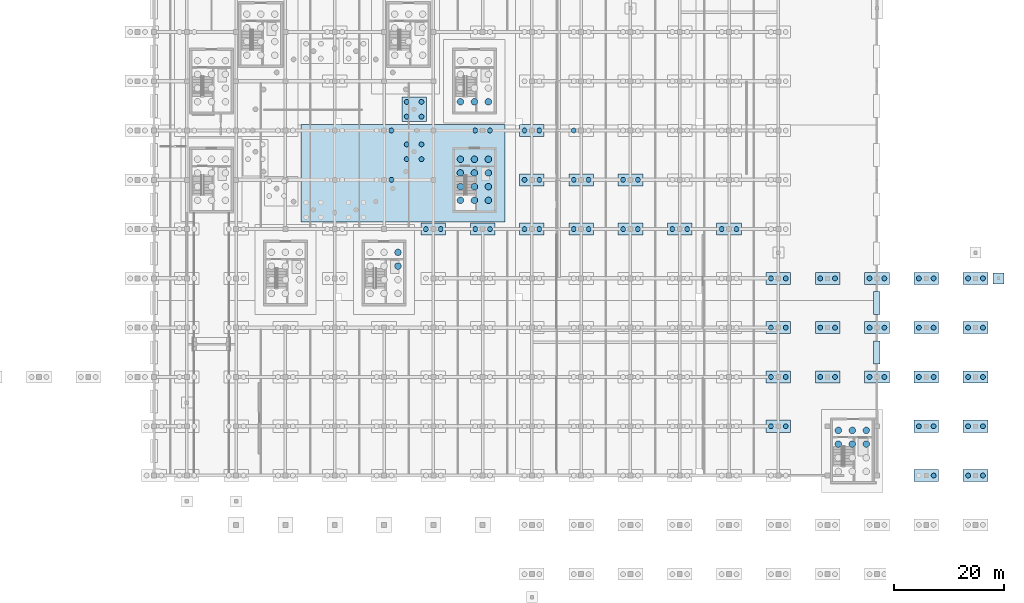
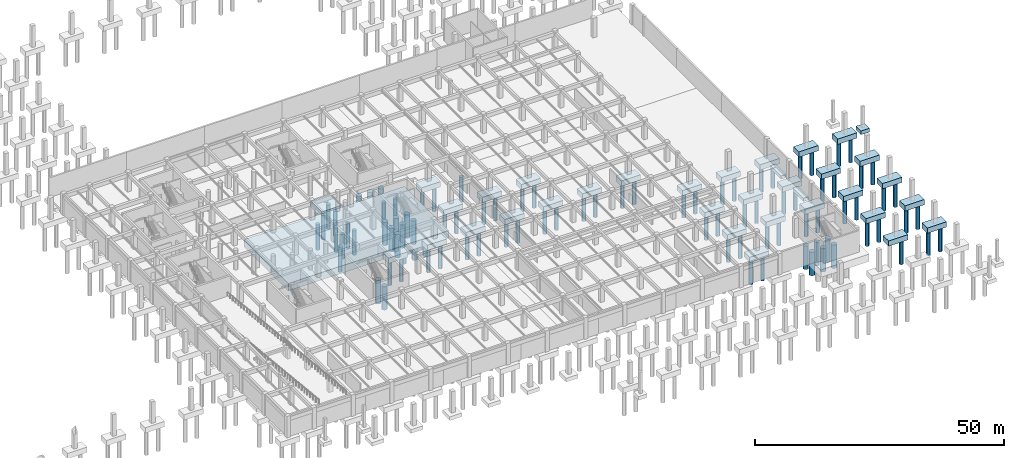
# One storey, part 6 of 27: 97 piles, 36 footings.
"""IFC4 building model written with IfcOpenShell, lengths in metres."""

from ifc_helpers import new_model, si_unit, direction, frame, origin, origin_2d, place, context, subcontext, project, spatial, polyline, circle, outline, extrude, material, layer, layer_set, material_profile, profile_set, type_object, element, save


model = new_model("IFC4")

# Units and contexts
model_context = context("Model", 3, precision=1e-05, world=origin(), true_north=direction((0.0, 1.0)))
body_context = subcontext(model_context, "Body", "Model", "MODEL_VIEW")
ifc_project = project(units=[si_unit("LENGTHUNIT", "METRE"), si_unit("AREAUNIT", "SQUARE_METRE"), si_unit("VOLUMEUNIT", "CUBIC_METRE"), si_unit("PLANEANGLEUNIT", "RADIAN"), si_unit("MASSUNIT", "GRAM", prefix="KILO")], contexts=[model_context])

# Site, building, storey
site_placement = place(None, origin())
site = spatial("IfcSite", under=ifc_project, at=site_placement, CompositionType="ELEMENT")
building_placement = place(site_placement, origin())
building = spatial("IfcBuilding", under=site, at=building_placement, Name="Dornveld Trade and Exhibition Forum", CompositionType="ELEMENT")
storey_placement = place(building_placement, frame((0.0, 0.0, -4.800048828125)))
storey = spatial("IfcBuildingStorey", under=building, at=storey_placement, Name="B1", CompositionType="ELEMENT", Elevation=-4.800048828125)

# Footings
ifc_material_1 = material(Name="Concrete C40/50", Category="concrete")
ifc_layer_1 = layer(ifc_material_1, 1.300048828125)
ifc_layer_set_1 = layer_set([ifc_layer_1], Name="Concrete C40/50")
footing_type_1 = type_object("IfcFootingType", Name="FT-CAP-2P", PredefinedType="PILE_CAP", material=ifc_layer_set_1)
footing_1_placement = place(storey_placement, frame((0.0, 0.0, -1.75)))
element("IfcFooting", 1, at=footing_1_placement, inside=storey, type_object=footing_type_1, Name="Multi-pile cap 164", PredefinedType="PILE_CAP", context=body_context, shape_type="SweptSolid", body=[
    extrude(outline(polyline([(132.75, 61.89990234375), (137.25, 61.89990234375), (137.25, 64.10009765625), (132.75, 64.10009765625), (132.75, 61.89990234375)])), origin(), (0.0, 0.0, 1.0), 1.300048828125),
])
footing_2_placement = place(storey_placement, frame((0.0, 0.0, -1.75)))
element("IfcFooting", 2, at=footing_2_placement, inside=storey, type_object=footing_type_1, Name="Multi-pile cap 172", PredefinedType="PILE_CAP", context=body_context, shape_type="SweptSolid", body=[
    extrude(outline(polyline([(141.75, 61.89990234375), (146.25, 61.89990234375), (146.25, 64.10009765625), (141.75, 64.10009765625), (141.75, 61.89990234375)])), origin(), (0.0, 0.0, 1.0), 1.300048828125),
])
footing_3_placement = place(storey_placement, frame((0.0, 0.0, -1.75)))
element("IfcFooting", 3, at=footing_3_placement, inside=storey, type_object=footing_type_1, Name="Multi-pile cap 184", PredefinedType="PILE_CAP", context=body_context, shape_type="SweptSolid", body=[
    extrude(outline(polyline([(150.75, 61.89990234375), (155.25, 61.89990234375), (155.25, 64.10009765625), (150.75, 64.10009765625), (150.75, 61.89990234375)])), origin(), (0.0, 0.0, 1.0), 1.300048828125),
])
footing_4_placement = place(storey_placement, frame((0.0, 0.0, -1.75)))
element("IfcFooting", 4, at=footing_4_placement, inside=storey, type_object=footing_type_1, Name="Multi-pile cap 185", PredefinedType="PILE_CAP", context=body_context, shape_type="SweptSolid", body=[
    extrude(outline(polyline([(150.75, 70.89990234375), (155.25, 70.89990234375), (155.25, 73.10009765625), (150.75, 73.10009765625), (150.75, 70.89990234375)])), origin(), (0.0, 0.0, 1.0), 1.300048828125),
])
footing_5_placement = place(storey_placement, frame((0.0, 0.0, -1.75)))
element("IfcFooting", 5, at=footing_5_placement, inside=storey, type_object=footing_type_1, Name="Multi-pile cap 186", PredefinedType="PILE_CAP", context=body_context, shape_type="SweptSolid", body=[
    extrude(outline(polyline([(150.75, 79.89990234375), (155.25, 79.89990234375), (155.25, 82.10009765625), (150.75, 82.10009765625), (150.75, 79.89990234375)])), origin(), (0.0, 0.0, 1.0), 1.300048828125),
])
footing_6_placement = place(storey_placement, frame((0.0, 0.0, -1.75)))
element("IfcFooting", 6, at=footing_6_placement, inside=storey, type_object=footing_type_1, Name="Multi-pile cap 198", PredefinedType="PILE_CAP", context=body_context, shape_type="SweptSolid", body=[
    extrude(outline(polyline([(159.75, 61.89990234375), (164.25, 61.89990234375), (164.25, 64.10009765625), (159.75, 64.10009765625), (159.75, 61.89990234375)])), origin(), (0.0, 0.0, 1.0), 1.300048828125),
])
footing_7_placement = place(storey_placement, frame((0.0, 0.0, -1.75)))
element("IfcFooting", 7, at=footing_7_placement, inside=storey, type_object=footing_type_1, Name="Multi-pile cap 199", PredefinedType="PILE_CAP", context=body_context, shape_type="SweptSolid", body=[
    extrude(outline(polyline([(159.75, 70.89990234375), (164.25, 70.89990234375), (164.25, 73.10009765625), (159.75, 73.10009765625), (159.75, 70.89990234375)])), origin(), (0.0, 0.0, 1.0), 1.300048828125),
])
footing_8_placement = place(storey_placement, frame((0.0, 0.0, -1.75)))
element("IfcFooting", 8, at=footing_8_placement, inside=storey, type_object=footing_type_1, Name="Multi-pile cap 212", PredefinedType="PILE_CAP", context=body_context, shape_type="SweptSolid", body=[
    extrude(outline(polyline([(168.75, 61.89990234375), (173.25, 61.89990234375), (173.25, 64.10009765625), (168.75, 64.10009765625), (168.75, 61.89990234375)])), origin(), (0.0, 0.0, 1.0), 1.300048828125),
])
footing_9_placement = place(storey_placement, frame((0.0, 0.0, -1.75)))
element("IfcFooting", 9, at=footing_9_placement, inside=storey, type_object=footing_type_1, Name="Multi-pile cap 213", PredefinedType="PILE_CAP", context=body_context, shape_type="SweptSolid", body=[
    extrude(outline(polyline([(168.75, 70.89990234375), (173.25, 70.89990234375), (173.25, 73.10009765625), (168.75, 73.10009765625), (168.75, 70.89990234375)])), origin(), (0.0, 0.0, 1.0), 1.300048828125),
])
footing_10_placement = place(storey_placement, frame((0.0, 0.0, -1.75)))
element("IfcFooting", 10, at=footing_10_placement, inside=storey, type_object=footing_type_1, Name="Multi-pile cap 231", PredefinedType="PILE_CAP", context=body_context, shape_type="SweptSolid", body=[
    extrude(outline(polyline([(177.75, 61.89990234375), (182.25, 61.89990234375), (182.25, 64.10009765625), (177.75, 64.10009765625), (177.75, 61.89990234375)])), origin(), (0.0, 0.0, 1.0), 1.300048828125),
])
footing_11_placement = place(storey_placement, frame((0.0, 0.0, -1.75)))
element("IfcFooting", 11, at=footing_11_placement, inside=storey, type_object=footing_type_1, Name="Multi-pile cap 246", PredefinedType="PILE_CAP", context=body_context, shape_type="SweptSolid", body=[
    extrude(outline(polyline([(186.75, 61.89990234375), (191.25, 61.89990234375), (191.25, 64.10009765625), (186.75, 64.10009765625), (186.75, 61.89990234375)])), origin(), (0.0, 0.0, 1.0), 1.300048828125),
])
footing_12_placement = place(storey_placement, frame((0.0, 0.0, -1.75)))
element("IfcFooting", 12, at=footing_12_placement, inside=storey, type_object=footing_type_1, Name="Multi-pile cap 257", PredefinedType="PILE_CAP", context=body_context, shape_type="SweptSolid", body=[
    extrude(outline(polyline([(195.75, 25.89990234375), (200.25, 25.89990234375), (200.25, 28.10009765625), (195.75, 28.10009765625), (195.75, 25.89990234375)])), origin(), (0.0, 0.0, 1.0), 1.300048828125),
])
footing_13_placement = place(storey_placement, frame((0.0, 0.0, -1.75)))
element("IfcFooting", 13, at=footing_13_placement, inside=storey, type_object=footing_type_1, Name="Multi-pile cap 258", PredefinedType="PILE_CAP", context=body_context, shape_type="SweptSolid", body=[
    extrude(outline(polyline([(195.75, 34.89990234375), (200.25, 34.89990234375), (200.25, 37.10009765625), (195.75, 37.10009765625), (195.75, 34.89990234375)])), origin(), (0.0, 0.0, 1.0), 1.300048828125),
])
footing_14_placement = place(storey_placement, frame((0.0, 0.0, -1.75)))
element("IfcFooting", 14, at=footing_14_placement, inside=storey, type_object=footing_type_1, Name="Multi-pile cap 259", PredefinedType="PILE_CAP", context=body_context, shape_type="SweptSolid", body=[
    extrude(outline(polyline([(195.75, 43.89990234375), (200.25, 43.89990234375), (200.25, 46.10009765625), (195.75, 46.10009765625), (195.75, 43.89990234375)])), origin(), (0.0, 0.0, 1.0), 1.300048828125),
])
footing_15_placement = place(storey_placement, frame((0.0, 0.0, -1.75)))
element("IfcFooting", 15, at=footing_15_placement, inside=storey, type_object=footing_type_1, Name="Multi-pile cap 260", PredefinedType="PILE_CAP", context=body_context, shape_type="SweptSolid", body=[
    extrude(outline(polyline([(195.75, 52.89990234375), (200.25, 52.89990234375), (200.25, 55.10009765625), (195.75, 55.10009765625), (195.75, 52.89990234375)])), origin(), (0.0, 0.0, 1.0), 1.300048828125),
])
footing_16_placement = place(storey_placement, frame((0.0, 0.0, -1.75)))
element("IfcFooting", 16, at=footing_16_placement, inside=storey, type_object=footing_type_1, Name="Multi-pile cap 273", PredefinedType="PILE_CAP", context=body_context, shape_type="SweptSolid", body=[
    extrude(outline(polyline([(204.75, 34.89990234375), (209.25, 34.89990234375), (209.25, 37.10009765625), (204.75, 37.10009765625), (204.75, 34.89990234375)])), origin(), (0.0, 0.0, 1.0), 1.300048828125),
])
footing_17_placement = place(storey_placement, frame((0.0, 0.0, -1.75)))
element("IfcFooting", 17, at=footing_17_placement, inside=storey, type_object=footing_type_1, Name="Multi-pile cap 274", PredefinedType="PILE_CAP", context=body_context, shape_type="SweptSolid", body=[
    extrude(outline(polyline([(204.75, 43.89990234375), (209.25, 43.89990234375), (209.25, 46.10009765625), (204.75, 46.10009765625), (204.75, 43.89990234375)])), origin(), (0.0, 0.0, 1.0), 1.300048828125),
])
footing_18_placement = place(storey_placement, frame((0.0, 0.0, -1.75)))
element("IfcFooting", 18, at=footing_18_placement, inside=storey, type_object=footing_type_1, Name="Multi-pile cap 275", PredefinedType="PILE_CAP", context=body_context, shape_type="SweptSolid", body=[
    extrude(outline(polyline([(204.75, 52.89990234375), (209.25, 52.89990234375), (209.25, 55.10009765625), (204.75, 55.10009765625), (204.75, 52.89990234375)])), origin(), (0.0, 0.0, 1.0), 1.300048828125),
])
footing_19_placement = place(storey_placement, frame((0.0, 0.0, -1.75)))
element("IfcFooting", 19, at=footing_19_placement, inside=storey, type_object=footing_type_1, Name="Multi-pile cap 283", PredefinedType="PILE_CAP", context=body_context, shape_type="SweptSolid", body=[
    extrude(outline(polyline([(213.75, 34.89990234375), (218.25, 34.89990234375), (218.25, 37.10009765625), (213.75, 37.10009765625), (213.75, 34.89990234375)])), origin(), (0.0, 0.0, 1.0), 1.300048828125),
])
footing_20_placement = place(storey_placement, frame((0.0, 0.0, -1.75)))
element("IfcFooting", 20, at=footing_20_placement, inside=storey, type_object=footing_type_1, Name="Multi-pile cap 284", PredefinedType="PILE_CAP", context=body_context, shape_type="SweptSolid", body=[
    extrude(outline(polyline([(213.75, 43.89990234375), (218.25, 43.89990234375), (218.25, 46.10009765625), (213.75, 46.10009765625), (213.75, 43.89990234375)])), origin(), (0.0, 0.0, 1.0), 1.300048828125),
])
footing_21_placement = place(storey_placement, frame((0.0, 0.0, -1.75)))
element("IfcFooting", 21, at=footing_21_placement, inside=storey, type_object=footing_type_1, Name="Multi-pile cap 285", PredefinedType="PILE_CAP", context=body_context, shape_type="SweptSolid", body=[
    extrude(outline(polyline([(213.75, 52.89990234375), (218.25, 52.89990234375), (218.25, 55.10009765625), (213.75, 55.10009765625), (213.75, 52.89990234375)])), origin(), (0.0, 0.0, 1.0), 1.300048828125),
])
footing_22_placement = place(storey_placement, frame((0.0, 0.0, -1.75)))
element("IfcFooting", 22, at=footing_22_placement, inside=storey, type_object=footing_type_1, Name="Multi-pile cap 293", PredefinedType="PILE_CAP", context=body_context, shape_type="SweptSolid", body=[
    extrude(outline(polyline([(222.75, 16.89990234375), (227.25, 16.89990234375), (227.25, 19.10009765625), (222.75, 19.10009765625), (222.75, 16.89990234375)])), origin(), (0.0, 0.0, 1.0), 1.300048828125),
])
footing_23_placement = place(storey_placement, frame((0.0, 0.0, -1.75)))
element("IfcFooting", 23, at=footing_23_placement, inside=storey, type_object=footing_type_1, Name="Multi-pile cap 294", PredefinedType="PILE_CAP", context=body_context, shape_type="SweptSolid", body=[
    extrude(outline(polyline([(222.75, 25.89990234375), (227.25, 25.89990234375), (227.25, 28.10009765625), (222.75, 28.10009765625), (222.75, 25.89990234375)])), origin(), (0.0, 0.0, 1.0), 1.300048828125),
])
footing_24_placement = place(storey_placement, frame((0.0, 0.0, -1.75)))
element("IfcFooting", 24, at=footing_24_placement, inside=storey, type_object=footing_type_1, Name="Multi-pile cap 295", PredefinedType="PILE_CAP", context=body_context, shape_type="SweptSolid", body=[
    extrude(outline(polyline([(222.75, 34.89990234375), (227.25, 34.89990234375), (227.25, 37.10009765625), (222.75, 37.10009765625), (222.75, 34.89990234375)])), origin(), (0.0, 0.0, 1.0), 1.300048828125),
])
footing_25_placement = place(storey_placement, frame((0.0, 0.0, -1.75)))
element("IfcFooting", 25, at=footing_25_placement, inside=storey, type_object=footing_type_1, Name="Multi-pile cap 296", PredefinedType="PILE_CAP", context=body_context, shape_type="SweptSolid", body=[
    extrude(outline(polyline([(222.75, 43.89990234375), (227.25, 43.89990234375), (227.25, 46.10009765625), (222.75, 46.10009765625), (222.75, 43.89990234375)])), origin(), (0.0, 0.0, 1.0), 1.300048828125),
])
footing_26_placement = place(storey_placement, frame((0.0, 0.0, -1.75)))
element("IfcFooting", 26, at=footing_26_placement, inside=storey, type_object=footing_type_1, Name="Multi-pile cap 297", PredefinedType="PILE_CAP", context=body_context, shape_type="SweptSolid", body=[
    extrude(outline(polyline([(222.75, 52.89990234375), (227.25, 52.89990234375), (227.25, 55.10009765625), (222.75, 55.10009765625), (222.75, 52.89990234375)])), origin(), (0.0, 0.0, 1.0), 1.300048828125),
])
footing_27_placement = place(storey_placement, frame((0.0, 0.0, -1.75)))
element("IfcFooting", 27, at=footing_27_placement, inside=storey, type_object=footing_type_1, Name="Multi-pile cap 300", PredefinedType="PILE_CAP", context=body_context, shape_type="SweptSolid", body=[
    extrude(outline(polyline([(231.75, 16.89990234375), (236.25, 16.89990234375), (236.25, 19.10009765625), (231.75, 19.10009765625), (231.75, 16.89990234375)])), origin(), (0.0, 0.0, 1.0), 1.300048828125),
])
footing_28_placement = place(storey_placement, frame((0.0, 0.0, -1.75)))
element("IfcFooting", 28, at=footing_28_placement, inside=storey, type_object=footing_type_1, Name="Multi-pile cap 301", PredefinedType="PILE_CAP", context=body_context, shape_type="SweptSolid", body=[
    extrude(outline(polyline([(231.75, 25.89990234375), (236.25, 25.89990234375), (236.25, 28.10009765625), (231.75, 28.10009765625), (231.75, 25.89990234375)])), origin(), (0.0, 0.0, 1.0), 1.300048828125),
])
footing_29_placement = place(storey_placement, frame((0.0, 0.0, -1.75)))
element("IfcFooting", 29, at=footing_29_placement, inside=storey, type_object=footing_type_1, Name="Multi-pile cap 302", PredefinedType="PILE_CAP", context=body_context, shape_type="SweptSolid", body=[
    extrude(outline(polyline([(231.75, 34.89990234375), (236.25, 34.89990234375), (236.25, 37.10009765625), (231.75, 37.10009765625), (231.75, 34.89990234375)])), origin(), (0.0, 0.0, 1.0), 1.300048828125),
])
footing_30_placement = place(storey_placement, frame((0.0, 0.0, -1.75)))
element("IfcFooting", 30, at=footing_30_placement, inside=storey, type_object=footing_type_1, Name="Multi-pile cap 303", PredefinedType="PILE_CAP", context=body_context, shape_type="SweptSolid", body=[
    extrude(outline(polyline([(231.75, 43.89990234375), (236.25, 43.89990234375), (236.25, 46.10009765625), (231.75, 46.10009765625), (231.75, 43.89990234375)])), origin(), (0.0, 0.0, 1.0), 1.300048828125),
])
footing_31_placement = place(storey_placement, frame((0.0, 0.0, -1.75)))
element("IfcFooting", 31, at=footing_31_placement, inside=storey, type_object=footing_type_1, Name="Multi-pile cap 304", PredefinedType="PILE_CAP", context=body_context, shape_type="SweptSolid", body=[
    extrude(outline(polyline([(231.75, 52.89990234375), (236.25, 52.89990234375), (236.25, 55.10009765625), (231.75, 55.10009765625), (231.75, 52.89990234375)])), origin(), (0.0, 0.0, 1.0), 1.300048828125),
])
ifc_material_2 = material(Name="Concrete C40/50", Category="concrete")
ifc_layer_2 = layer(ifc_material_2, 1.5)
ifc_layer_set_2 = layer_set([ifc_layer_2], Name="Concrete C40/50")
footing_type_2 = type_object("IfcFootingType", Name="FT-CAP-4P", PredefinedType="PILE_CAP", material=ifc_layer_set_2)
footing_32_placement = place(storey_placement, frame((0.0, 0.0, -1.949951171875)))
element("IfcFooting", 32, at=footing_32_placement, inside=storey, type_object=footing_type_2, Name="Multi-pile cap 158", PredefinedType="PILE_CAP", context=body_context, shape_type="SweptSolid", body=[
    extrude(outline(polyline([(129.239013671875, 82.632080078125), (133.739013671875, 82.632080078125), (133.739013671875, 87.132080078125), (129.239013671875, 87.132080078125), (129.239013671875, 82.632080078125)])), origin(), (0.0, 0.0, 1.0), 1.5),
])
ifc_material_3 = material(Name="Concrete C40/50", Category="concrete")
ifc_layer_3 = layer(ifc_material_3, 0.89990234375)
ifc_layer_set_3 = layer_set([ifc_layer_3], Name="Concrete C40/50")
footing_type_3 = type_object("IfcFootingType", Name="FT-PAD-CAN", PredefinedType="PAD_FOOTING", material=ifc_layer_set_3)
footing_33_placement = place(storey_placement, frame((0.0, 0.0, -1.349853515625)))
element("IfcFooting", 33, at=footing_33_placement, inside=storey, type_object=footing_type_3, Name="Paving edge pad footing 10", PredefinedType="PAD_FOOTING", context=body_context, shape_type="SweptSolid", body=[
    extrude(outline(polyline([(237.199951171875, 53.0), (239.199951171875, 53.0), (239.199951171875, 55.0), (237.199951171875, 55.0), (237.199951171875, 53.0)])), origin(), (0.0, 0.0, 1.0), 0.89990234375),
])
ifc_material_4 = material(Name="Concrete C40/50", Category="concrete")
ifc_layer_4 = layer(ifc_material_4, 1.800048828125)
ifc_layer_set_4 = layer_set([ifc_layer_4], Name="Concrete C40/50")
footing_type_4 = type_object("IfcFootingType", Name="FT-RAFT-CORE", PredefinedType="PILE_CAP", material=ifc_layer_set_4)
footing_34_placement = place(storey_placement, frame((0.0, 0.0, -2.25)))
element("IfcFooting", 34, at=footing_34_placement, inside=storey, type_object=footing_type_4, Name="CORE-08 piled foundation raft", PredefinedType="PILE_CAP", context=body_context, shape_type="SweptSolid", body=[
    extrude(outline(polyline([(110.867919921875, 64.260986328125), (148.10009765625, 64.260986328125), (148.10009765625, 82.10009765625), (110.867919921875, 82.10009765625), (110.867919921875, 64.260986328125)])), origin(), (0.0, 0.0, 1.0), 1.800048828125),
])
ifc_material_5 = material(Name="Concrete C40/50", Category="concrete")
ifc_layer_5 = layer(ifc_material_5, 0.800048828125)
ifc_layer_set_5 = layer_set([ifc_layer_5], Name="Concrete C40/50")
footing_type_5 = type_object("IfcFootingType", Name="FT-STRIP-900", PredefinedType="STRIP_FOOTING", material=ifc_layer_set_5)
footing_35_placement = place(storey_placement, frame((0.0, 0.0, -1.25)))
element("IfcFooting", 35, at=footing_35_placement, inside=storey, type_object=footing_type_5, Name="Basement perimeter strip footing 25", PredefinedType="STRIP_FOOTING", context=body_context, shape_type="SweptSolid", body=[
    extrude(outline(polyline([(215.39990234375, 38.39990234375), (216.60009765625, 38.39990234375), (216.60009765625, 42.60009765625), (215.39990234375, 42.60009765625), (215.39990234375, 38.39990234375)])), origin(), (0.0, 0.0, 1.0), 0.800048828125),
])
footing_36_placement = place(storey_placement, frame((0.0, 0.0, -1.25)))
element("IfcFooting", 36, at=footing_36_placement, inside=storey, type_object=footing_type_5, Name="Basement perimeter strip footing 26", PredefinedType="STRIP_FOOTING", context=body_context, shape_type="SweptSolid", body=[
    extrude(outline(polyline([(215.39990234375, 47.39990234375), (216.60009765625, 47.39990234375), (216.60009765625, 51.60009765625), (215.39990234375, 51.60009765625), (215.39990234375, 47.39990234375)])), origin(), (0.0, 0.0, 1.0), 0.800048828125),
])

# Piles
ifc_material_6 = material(Name="Concrete C40/50", Category="concrete")
ifc_material_profile_1 = material_profile(ifc_material_6, circle(Radius=0.60009765625, at=origin_2d()), Name="PILE D1200")
ifc_profile_set_1 = profile_set([ifc_material_profile_1], Name="Concrete C40/50")
pile_type_1 = type_object("IfcPileType", Name="PILE-B1200", PredefinedType="BORED", material=ifc_profile_set_1)
for number, where, z_axis, x_axis, name in (
    (37, (139.949951171875, 86.25, -2.14990234375), (0.0, 0.0, -1.0), (1.0, 0.0, 0.0), "CORE-01 rock-socketed bored pile 1"),
    (38, (142.5, 86.25, -2.14990234375), (0.0, 0.0, -1.0), (1.0, 0.0, 0.0), "CORE-01 rock-socketed bored pile 5"),
    (39, (145.050048828125, 86.25, -2.14990234375), (0.0, 0.0, -1.0), (1.0, 0.0, 0.0), "CORE-01 rock-socketed bored pile 9"),
    (40, (128.550048828125, 56.25, -2.14990234375), (0.0, 0.0, -1.0), (1.0, 0.0, 0.0), "CORE-07 rock-socketed bored pile 11"),
    (41, (128.550048828125, 58.75, -2.14990234375), (0.0, 0.0, -1.0), (1.0, 0.0, 0.0), "CORE-07 rock-socketed bored pile 12"),
    (42, (139.949951171875, 68.25, -2.14990234375), (0.0, 0.0, -1.0), (1.0, 0.0, 0.0), "CORE-08 rock-socketed bored pile 1"),
    (43, (139.949951171875, 70.75, -2.14990234375), (0.0, 0.0, -1.0), (1.0, 0.0, 0.0), "CORE-08 rock-socketed bored pile 2"),
    (44, (139.949951171875, 73.25, -2.14990234375), (0.0, 0.0, -1.0), (1.0, 0.0, 0.0), "CORE-08 rock-socketed bored pile 3"),
    (45, (139.949951171875, 75.75, -2.14990234375), (0.0, 0.0, -1.0), (1.0, 0.0, 0.0), "CORE-08 rock-socketed bored pile 4"),
    (46, (142.5, 68.25, -2.14990234375), (0.0, 0.0, -1.0), (1.0, 0.0, 0.0), "CORE-08 rock-socketed bored pile 5"),
    (47, (142.5, 70.75, -2.14990234375), (0.0, 0.0, -1.0), (1.0, 0.0, 0.0), "CORE-08 rock-socketed bored pile 6"),
    (48, (142.5, 73.25, -2.14990234375), (0.0, 0.0, -1.0), (1.0, 0.0, 0.0), "CORE-08 rock-socketed bored pile 7"),
    (49, (142.5, 75.75, -2.14990234375), (0.0, 0.0, -1.0), (1.0, 0.0, 0.0), "CORE-08 rock-socketed bored pile 8"),
    (50, (145.050048828125, 68.25, -2.14990234375), (0.0, 0.0, -1.0), (1.0, 0.0, 0.0), "CORE-08 rock-socketed bored pile 9"),
    (51, (145.050048828125, 70.75, -2.14990234375), (0.0, 0.0, -1.0), (1.0, 0.0, 0.0), "CORE-08 rock-socketed bored pile 10"),
    (52, (145.050048828125, 73.25, -2.14990234375), (0.0, 0.0, -1.0), (1.0, 0.0, 0.0), "CORE-08 rock-socketed bored pile 11"),
    (53, (145.050048828125, 75.75, -2.14990234375), (0.0, 0.0, -1.0), (1.0, 0.0, 0.0), "CORE-08 rock-socketed bored pile 12"),
    (54, (208.949951171875, 23.75, -2.14990234375), (0.0, 0.0, -1.0), (1.0, 0.0, 0.0), "CORE-11 rock-socketed bored pile 3"),
    (55, (208.949951171875, 26.25, -2.14990234375), (0.0, 0.0, -1.0), (1.0, 0.0, 0.0), "CORE-11 rock-socketed bored pile 4"),
    (56, (211.5, 23.75, -2.14990234375), (0.0, 0.0, -1.0), (1.0, 0.0, 0.0), "CORE-11 rock-socketed bored pile 7"),
    (57, (211.5, 26.25, -2.14990234375), (0.0, 0.0, -1.0), (1.0, 0.0, 0.0), "CORE-11 rock-socketed bored pile 8"),
    (58, (214.050048828125, 23.75, -2.14990234375), (0.0, 0.0, -1.0), (1.0, 0.0, 0.0), "CORE-11 rock-socketed bored pile 11"),
    (59, (214.050048828125, 26.25, -2.14990234375), (0.0, 0.0, -1.0), (1.0, 0.0, 0.0), "CORE-11 rock-socketed bored pile 12"),
):
    element("IfcPile", number, at=place(storey_placement, frame(where, z_axis=z_axis, x_axis=x_axis)), inside=storey, type_object=pile_type_1, Name=name, PredefinedType="BORED", context=body_context, shape_type="SweptSolid", body=[
        extrude(circle(Radius=0.60009765625, at=origin_2d()), origin(), (0.0, 0.0, 1.0), 5.75),
    ])
ifc_material_7 = material(Name="Concrete C40/50", Category="concrete")
ifc_material_profile_2 = material_profile(ifc_material_7, circle(Radius=0.449951171875, at=origin_2d()), Name="PILE D900")
ifc_profile_set_2 = profile_set([ifc_material_profile_2], Name="Concrete C40/50")
pile_type_2 = type_object("IfcPileType", Name="PILE-B900", PredefinedType="BORED", material=ifc_profile_set_2)
for number, where, z_axis, x_axis, name in (
    (60, (127.35009765625, 72.0, -1.64990234375), (0.0, 0.0, -1.0), (1.0, 0.0, 0.0), "Cap 153 rock-socketed pile 2"),
    (61, (127.35009765625, 81.0, -1.64990234375), (0.0, 0.0, -1.0), (1.0, 0.0, 0.0), "Cap 154 rock-socketed pile 2"),
):
    element("IfcPile", number, at=place(storey_placement, frame(where, z_axis=z_axis, x_axis=x_axis)), inside=storey, type_object=pile_type_2, Name=name, PredefinedType="BORED", context=body_context, shape_type="SweptSolid", body=[
        extrude(circle(Radius=0.449951171875, at=origin_2d()), origin(), (0.0, 0.0, 1.0), 6.25),
    ])
for number, where, z_axis, x_axis, name in (
    (62, (130.138916015625, 75.76806640625, -1.849853515625), (0.0, 0.0, -1.0), (1.0, 0.0, 0.0), "Cap 157 rock-socketed pile 1"),
    (63, (130.138916015625, 78.468017578125, -1.849853515625), (0.0, 0.0, -1.0), (1.0, 0.0, 0.0), "Cap 157 rock-socketed pile 2"),
    (64, (132.839111328125, 75.76806640625, -1.849853515625), (0.0, 0.0, -1.0), (1.0, 0.0, 0.0), "Cap 157 rock-socketed pile 3"),
    (65, (132.839111328125, 78.468017578125, -1.849853515625), (0.0, 0.0, -1.0), (1.0, 0.0, 0.0), "Cap 157 rock-socketed pile 4"),
    (66, (130.138916015625, 83.531982421875, -1.849853515625), (0.0, 0.0, -1.0), (1.0, 0.0, 0.0), "Cap 158 rock-socketed pile 1"),
    (67, (130.138916015625, 86.23193359375, -1.849853515625), (0.0, 0.0, -1.0), (1.0, 0.0, 0.0), "Cap 158 rock-socketed pile 2"),
    (68, (132.839111328125, 83.531982421875, -1.849853515625), (0.0, 0.0, -1.0), (1.0, 0.0, 0.0), "Cap 158 rock-socketed pile 3"),
    (69, (132.839111328125, 86.23193359375, -1.849853515625), (0.0, 0.0, -1.0), (1.0, 0.0, 0.0), "Cap 158 rock-socketed pile 4"),
):
    element("IfcPile", number, at=place(storey_placement, frame(where, z_axis=z_axis, x_axis=x_axis)), inside=storey, type_object=pile_type_2, Name=name, PredefinedType="BORED", context=body_context, shape_type="SweptSolid", body=[
        extrude(circle(Radius=0.449951171875, at=origin_2d()), origin(), (0.0, 0.0, 1.0), 6.050048828125),
    ])
for number, where, z_axis, x_axis, name in (
    (70, (133.64990234375, 63.0, -1.64990234375), (0.0, 0.0, -1.0), (1.0, 0.0, 0.0), "Cap 164 rock-socketed pile 1"),
    (71, (136.35009765625, 63.0, -1.64990234375), (0.0, 0.0, -1.0), (1.0, 0.0, 0.0), "Cap 164 rock-socketed pile 2"),
    (72, (142.64990234375, 63.0, -1.64990234375), (0.0, 0.0, -1.0), (1.0, 0.0, 0.0), "Cap 172 rock-socketed pile 1"),
    (73, (145.35009765625, 63.0, -1.64990234375), (0.0, 0.0, -1.0), (1.0, 0.0, 0.0), "Cap 172 rock-socketed pile 2"),
    (74, (142.64990234375, 81.0, -1.64990234375), (0.0, 0.0, -1.0), (1.0, 0.0, 0.0), "Cap 173 rock-socketed pile 1"),
    (75, (145.35009765625, 81.0, -1.64990234375), (0.0, 0.0, -1.0), (1.0, 0.0, 0.0), "Cap 173 rock-socketed pile 2"),
    (76, (151.64990234375, 63.0, -1.64990234375), (0.0, 0.0, -1.0), (1.0, 0.0, 0.0), "Cap 184 rock-socketed pile 1"),
    (77, (154.35009765625, 63.0, -1.64990234375), (0.0, 0.0, -1.0), (1.0, 0.0, 0.0), "Cap 184 rock-socketed pile 2"),
    (78, (151.64990234375, 72.0, -1.64990234375), (0.0, 0.0, -1.0), (1.0, 0.0, 0.0), "Cap 185 rock-socketed pile 1"),
    (79, (154.35009765625, 72.0, -1.64990234375), (0.0, 0.0, -1.0), (1.0, 0.0, 0.0), "Cap 185 rock-socketed pile 2"),
    (80, (151.64990234375, 81.0, -1.64990234375), (0.0, 0.0, -1.0), (1.0, 0.0, 0.0), "Cap 186 rock-socketed pile 1"),
    (81, (154.35009765625, 81.0, -1.64990234375), (0.0, 0.0, -1.0), (1.0, 0.0, 0.0), "Cap 186 rock-socketed pile 2"),
    (82, (160.64990234375, 63.0, -1.64990234375), (0.0, 0.0, -1.0), (1.0, 0.0, 0.0), "Cap 198 rock-socketed pile 1"),
    (83, (163.35009765625, 63.0, -1.64990234375), (0.0, 0.0, -1.0), (1.0, 0.0, 0.0), "Cap 198 rock-socketed pile 2"),
    (84, (160.64990234375, 72.0, -1.64990234375), (0.0, 0.0, -1.0), (1.0, 0.0, 0.0), "Cap 199 rock-socketed pile 1"),
    (85, (163.35009765625, 72.0, -1.64990234375), (0.0, 0.0, -1.0), (1.0, 0.0, 0.0), "Cap 199 rock-socketed pile 2"),
    (86, (160.64990234375, 81.0, -1.64990234375), (0.0, 0.0, -1.0), (1.0, 0.0, 0.0), "Cap 200 rock-socketed pile 1"),
    (87, (169.64990234375, 63.0, -1.64990234375), (0.0, 0.0, -1.0), (1.0, 0.0, 0.0), "Cap 212 rock-socketed pile 1"),
    (88, (172.35009765625, 63.0, -1.64990234375), (0.0, 0.0, -1.0), (1.0, 0.0, 0.0), "Cap 212 rock-socketed pile 2"),
    (89, (169.64990234375, 72.0, -1.64990234375), (0.0, 0.0, -1.0), (1.0, 0.0, 0.0), "Cap 213 rock-socketed pile 1"),
    (90, (172.35009765625, 72.0, -1.64990234375), (0.0, 0.0, -1.0), (1.0, 0.0, 0.0), "Cap 213 rock-socketed pile 2"),
    (91, (178.64990234375, 63.0, -1.64990234375), (0.0, 0.0, -1.0), (1.0, 0.0, 0.0), "Cap 231 rock-socketed pile 1"),
    (92, (181.35009765625, 63.0, -1.64990234375), (0.0, 0.0, -1.0), (1.0, 0.0, 0.0), "Cap 231 rock-socketed pile 2"),
    (93, (187.64990234375, 63.0, -1.64990234375), (0.0, 0.0, -1.0), (1.0, 0.0, 0.0), "Cap 246 rock-socketed pile 1"),
    (94, (190.35009765625, 63.0, -1.64990234375), (0.0, 0.0, -1.0), (1.0, 0.0, 0.0), "Cap 246 rock-socketed pile 2"),
    (95, (196.64990234375, 27.0, -1.64990234375), (0.0, 0.0, -1.0), (1.0, 0.0, 0.0), "Cap 257 rock-socketed pile 1"),
    (96, (199.35009765625, 27.0, -1.64990234375), (0.0, 0.0, -1.0), (1.0, 0.0, 0.0), "Cap 257 rock-socketed pile 2"),
    (97, (196.64990234375, 36.0, -1.64990234375), (0.0, 0.0, -1.0), (1.0, 0.0, 0.0), "Cap 258 rock-socketed pile 1"),
    (98, (199.35009765625, 36.0, -1.64990234375), (0.0, 0.0, -1.0), (1.0, 0.0, 0.0), "Cap 258 rock-socketed pile 2"),
    (99, (196.64990234375, 45.0, -1.64990234375), (0.0, 0.0, -1.0), (1.0, 0.0, 0.0), "Cap 259 rock-socketed pile 1"),
    (100, (199.35009765625, 45.0, -1.64990234375), (0.0, 0.0, -1.0), (1.0, 0.0, 0.0), "Cap 259 rock-socketed pile 2"),
    (101, (196.64990234375, 54.0, -1.64990234375), (0.0, 0.0, -1.0), (1.0, 0.0, 0.0), "Cap 260 rock-socketed pile 1"),
    (102, (199.35009765625, 54.0, -1.64990234375), (0.0, 0.0, -1.0), (1.0, 0.0, 0.0), "Cap 260 rock-socketed pile 2"),
    (103, (205.64990234375, 36.0, -1.64990234375), (0.0, 0.0, -1.0), (1.0, 0.0, 0.0), "Cap 273 rock-socketed pile 1"),
    (104, (208.35009765625, 36.0, -1.64990234375), (0.0, 0.0, -1.0), (1.0, 0.0, 0.0), "Cap 273 rock-socketed pile 2"),
    (105, (205.64990234375, 45.0, -1.64990234375), (0.0, 0.0, -1.0), (1.0, 0.0, 0.0), "Cap 274 rock-socketed pile 1"),
    (106, (208.35009765625, 45.0, -1.64990234375), (0.0, 0.0, -1.0), (1.0, 0.0, 0.0), "Cap 274 rock-socketed pile 2"),
    (107, (205.64990234375, 54.0, -1.64990234375), (0.0, 0.0, -1.0), (1.0, 0.0, 0.0), "Cap 275 rock-socketed pile 1"),
    (108, (208.35009765625, 54.0, -1.64990234375), (0.0, 0.0, -1.0), (1.0, 0.0, 0.0), "Cap 275 rock-socketed pile 2"),
    (109, (214.64990234375, 36.0, -1.64990234375), (0.0, 0.0, -1.0), (1.0, 0.0, 0.0), "Cap 283 rock-socketed pile 1"),
    (110, (217.35009765625, 36.0, -1.64990234375), (0.0, 0.0, -1.0), (1.0, 0.0, 0.0), "Cap 283 rock-socketed pile 2"),
    (111, (214.64990234375, 45.0, -1.64990234375), (0.0, 0.0, -1.0), (1.0, 0.0, 0.0), "Cap 284 rock-socketed pile 1"),
    (112, (217.35009765625, 45.0, -1.64990234375), (0.0, 0.0, -1.0), (1.0, 0.0, 0.0), "Cap 284 rock-socketed pile 2"),
    (113, (214.64990234375, 54.0, -1.64990234375), (0.0, 0.0, -1.0), (1.0, 0.0, 0.0), "Cap 285 rock-socketed pile 1"),
    (114, (217.35009765625, 54.0, -1.64990234375), (0.0, 0.0, -1.0), (1.0, 0.0, 0.0), "Cap 285 rock-socketed pile 2"),
    (115, (226.35009765625, 18.0, -1.64990234375), (0.0, 0.0, -1.0), (1.0, 0.0, 0.0), "Cap 293 rock-socketed pile 2"),
    (116, (223.64990234375, 27.0, -1.64990234375), (0.0, 0.0, -1.0), (1.0, 0.0, 0.0), "Cap 294 rock-socketed pile 1"),
    (117, (226.35009765625, 27.0, -1.64990234375), (0.0, 0.0, -1.0), (1.0, 0.0, 0.0), "Cap 294 rock-socketed pile 2"),
    (118, (223.64990234375, 36.0, -1.64990234375), (0.0, 0.0, -1.0), (1.0, 0.0, 0.0), "Cap 295 rock-socketed pile 1"),
    (119, (226.35009765625, 36.0, -1.64990234375), (0.0, 0.0, -1.0), (1.0, 0.0, 0.0), "Cap 295 rock-socketed pile 2"),
    (120, (223.64990234375, 45.0, -1.64990234375), (0.0, 0.0, -1.0), (1.0, 0.0, 0.0), "Cap 296 rock-socketed pile 1"),
    (121, (226.35009765625, 45.0, -1.64990234375), (0.0, 0.0, -1.0), (1.0, 0.0, 0.0), "Cap 296 rock-socketed pile 2"),
    (122, (223.64990234375, 54.0, -1.64990234375), (0.0, 0.0, -1.0), (1.0, 0.0, 0.0), "Cap 297 rock-socketed pile 1"),
    (123, (226.35009765625, 54.0, -1.64990234375), (0.0, 0.0, -1.0), (1.0, 0.0, 0.0), "Cap 297 rock-socketed pile 2"),
    (124, (232.64990234375, 18.0, -1.64990234375), (0.0, 0.0, -1.0), (1.0, 0.0, 0.0), "Cap 300 rock-socketed pile 1"),
    (125, (235.35009765625, 18.0, -1.64990234375), (0.0, 0.0, -1.0), (1.0, 0.0, 0.0), "Cap 300 rock-socketed pile 2"),
    (126, (232.64990234375, 27.0, -1.64990234375), (0.0, 0.0, -1.0), (1.0, 0.0, 0.0), "Cap 301 rock-socketed pile 1"),
    (127, (235.35009765625, 27.0, -1.64990234375), (0.0, 0.0, -1.0), (1.0, 0.0, 0.0), "Cap 301 rock-socketed pile 2"),
    (128, (232.64990234375, 36.0, -1.64990234375), (0.0, 0.0, -1.0), (1.0, 0.0, 0.0), "Cap 302 rock-socketed pile 1"),
    (129, (235.35009765625, 36.0, -1.64990234375), (0.0, 0.0, -1.0), (1.0, 0.0, 0.0), "Cap 302 rock-socketed pile 2"),
    (130, (232.64990234375, 45.0, -1.64990234375), (0.0, 0.0, -1.0), (1.0, 0.0, 0.0), "Cap 303 rock-socketed pile 1"),
    (131, (235.35009765625, 45.0, -1.64990234375), (0.0, 0.0, -1.0), (1.0, 0.0, 0.0), "Cap 303 rock-socketed pile 2"),
    (132, (232.64990234375, 54.0, -1.64990234375), (0.0, 0.0, -1.0), (1.0, 0.0, 0.0), "Cap 304 rock-socketed pile 1"),
    (133, (235.35009765625, 54.0, -1.64990234375), (0.0, 0.0, -1.0), (1.0, 0.0, 0.0), "Cap 304 rock-socketed pile 2"),
):
    element("IfcPile", number, at=place(storey_placement, frame(where, z_axis=z_axis, x_axis=x_axis)), inside=storey, type_object=pile_type_2, Name=name, PredefinedType="BORED", context=body_context, shape_type="SweptSolid", body=[
        extrude(circle(Radius=0.449951171875, at=origin_2d()), origin(), (0.0, 0.0, 1.0), 6.25),
    ])

save(model, "model.ifc")
